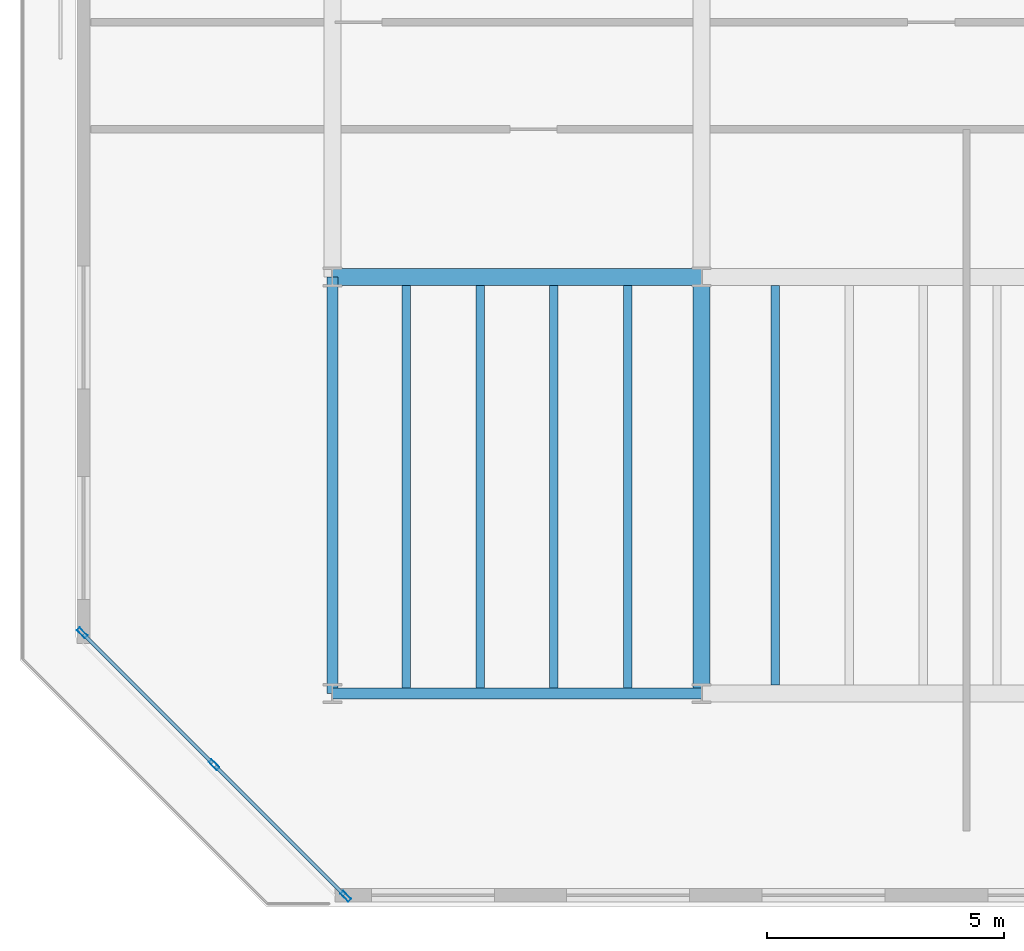
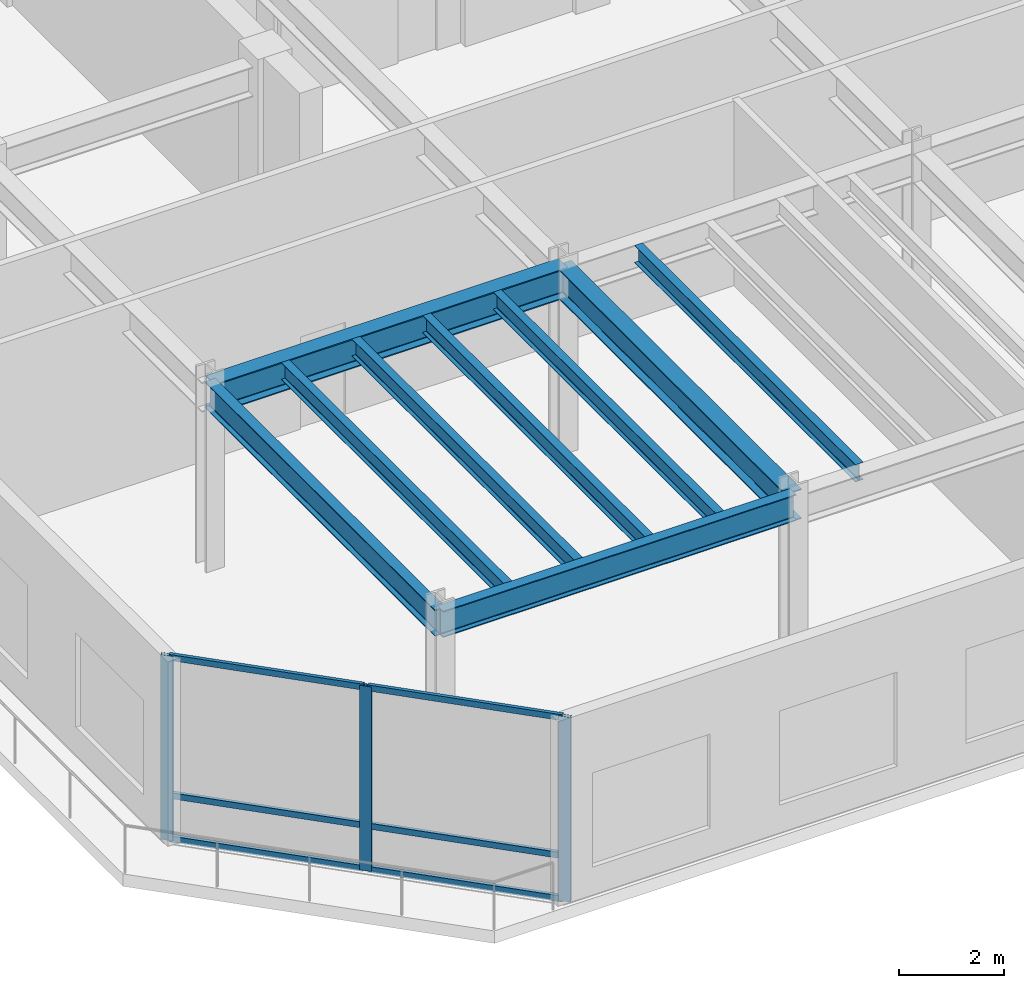
# One storey, part 2 of 12: 9 beams, 9 members, 1 element without a shape of its own.
"""IFC4 building model written with IfcOpenShell, lengths in metres."""

from ifc_helpers import new_model, si_unit, direction, frame, origin, origin_2d, place, context, subcontext, project, spatial, hollow_rectangle, i_section, extrude, material, layer, layer_set, material_profile, profile_set, type_object, element, aggregate, save


model = new_model("IFC4")

# Units and contexts
model_context = context("Model", 3, precision=1e-05, world=origin(), true_north=direction((0.0, 1.0)))
body_context = subcontext(model_context, "Body", "Model", "MODEL_VIEW")
ifc_project = project(units=[si_unit("LENGTHUNIT", "METRE"), si_unit("AREAUNIT", "SQUARE_METRE"), si_unit("VOLUMEUNIT", "CUBIC_METRE"), si_unit("PLANEANGLEUNIT", "RADIAN"), si_unit("MASSUNIT", "GRAM", prefix="KILO")], contexts=[model_context])

# Site, building, storey
site_placement = place(None, origin())
site = spatial("IfcSite", under=ifc_project, at=site_placement, CompositionType="ELEMENT")
building_placement = place(site_placement, origin())
building = spatial("IfcBuilding", under=site, at=building_placement, Name="Kestravale Grand Hotel", CompositionType="ELEMENT")
storey_placement = place(building_placement, frame((0.0, 0.0, 302.0)))
storey = spatial("IfcBuildingStorey", under=building, at=storey_placement, Name="L75", CompositionType="ELEMENT", Elevation=302.0)

# Beams
ifc_material_1 = material(Name="Steel ASTM A992 Grade 50", Category="steel")
ifc_material_profile_1 = material_profile(ifc_material_1, i_section(OverallWidth=0.177978515625, OverallDepth=0.404052734375, WebThickness=0.007568359375, FlangeThickness=0.010986328125, FilletRadius=0.01416015625, at=origin_2d()))
ifc_profile_set_1 = profile_set([ifc_material_profile_1], Name="Steel ASTM A992 Grade 50")
beam_type_1 = type_object("IfcBeamType", Name="B-FLR-JST16", PredefinedType="JOIST", material=ifc_profile_set_1)
for number, where, z_axis, x_axis, name in (
    (1, (17.159912109375, 11.314453125, 4.10791015625), (0.0, 1.0, 0.0), (-1.0, 0.0, 0.0), "L75 floor joist 3-4/C-D #1"),
    (2, (18.719970703125, 11.314453125, 4.10791015625), (0.0, 1.0, 0.0), (-1.0, 0.0, 0.0), "L75 floor joist 3-4/C-D #2"),
    (3, (20.280029296875, 11.314453125, 4.10791015625), (0.0, 1.0, 0.0), (-1.0, 0.0, 0.0), "L75 floor joist 3-4/C-D #3"),
    (4, (21.840087890625, 11.314453125, 4.10791015625), (0.0, 1.0, 0.0), (-1.0, 0.0, 0.0), "L75 floor joist 3-4/C-D #4"),
):
    element("IfcBeam", number, at=place(storey_placement, frame(where, z_axis=z_axis, x_axis=x_axis)), inside=storey, type_object=beam_type_1, Name=name, PredefinedType="JOIST", context=body_context, shape_type="SweptSolid", body=[
        extrude(i_section(OverallWidth=0.177978515625, OverallDepth=0.404052734375, WebThickness=0.007568359375, FlangeThickness=0.010986328125, FilletRadius=0.01416015625, at=origin_2d()), origin(), (0.0, 0.0, 1.0), 8.507568359375),
    ])
beam_1_placement = place(storey_placement, frame((24.9599609375, 11.3779296875, 4.10791015625), z_axis=(0.0, 1.0, 0.0), x_axis=(-1.0, 0.0, 0.0)))
element("IfcBeam", 5, at=beam_1_placement, inside=storey, type_object=beam_type_1, Name="L75 floor joist 4-5/C-D #1", PredefinedType="JOIST", context=body_context, shape_type="SweptSolid", body=[
    extrude(i_section(OverallWidth=0.177978515625, OverallDepth=0.404052734375, WebThickness=0.007568359375, FlangeThickness=0.010986328125, FilletRadius=0.01416015625, at=origin_2d()), origin(), (0.0, 0.0, 1.0), 8.444091796875),
])
ifc_material_2 = material(Name="Steel ASTM A992 Grade 50", Category="steel")
ifc_material_profile_2 = material_profile(ifc_material_2, i_section(OverallWidth=0.22900390625, OverallDepth=0.612060546875, WebThickness=0.011962890625, FlangeThickness=0.01953125, FilletRadius=0.019287109375, at=origin_2d()))
ifc_profile_set_2 = profile_set([ifc_material_profile_2], Name="Steel ASTM A992 Grade 50")
beam_type_2 = type_object("IfcBeamType", Name="B-FLR-W24B", PredefinedType="SPANDREL", material=ifc_profile_set_2)
beam_2_placement = place(storey_placement, frame((15.60009765625, 11.199951171875, 4.00390625), z_axis=(1.0, 0.0, 0.0), x_axis=(0.0, 1.0, 0.0)))
element("IfcBeam", 6, at=beam_2_placement, inside=storey, type_object=beam_type_2, Name="L75 spandrel C:3-4", PredefinedType="SPANDREL", context=body_context, shape_type="SweptSolid", body=[
    extrude(i_section(OverallWidth=0.22900390625, OverallDepth=0.612060546875, WebThickness=0.011962890625, FlangeThickness=0.01953125, FilletRadius=0.019287109375, at=origin_2d()), origin(), (0.0, 0.0, 1.0), 7.7998046875),
])
beam_3_placement = place(storey_placement, frame((15.60009765625, 11.199951171875, 4.00390625), z_axis=(0.0, 1.0, 0.0), x_axis=(-1.0, 0.0, 0.0)))
element("IfcBeam", 7, at=beam_3_placement, inside=storey, type_object=beam_type_2, Name="L75 spandrel 3:C-D", PredefinedType="SPANDREL", context=body_context, shape_type="SweptSolid", body=[
    extrude(i_section(OverallWidth=0.22900390625, OverallDepth=0.612060546875, WebThickness=0.011962890625, FlangeThickness=0.01953125, FilletRadius=0.019287109375, at=origin_2d()), origin(), (0.0, 0.0, 1.0), 8.800048828125),
])
ifc_material_3 = material(Name="Steel ASTM A992 Grade 50", Category="steel")
ifc_material_profile_3 = material_profile(ifc_material_3, i_section(OverallWidth=0.35595703125, OverallDepth=0.696044921875, WebThickness=0.015380859375, FlangeThickness=0.02490234375, FilletRadius=0.021240234375, at=origin_2d()))
ifc_profile_set_3 = profile_set([ifc_material_profile_3], Name="Steel ASTM A992 Grade 50")
beam_type_3 = type_object("IfcBeamType", Name="B-GRD-W27", PredefinedType="BEAM", material=ifc_profile_set_3)
beam_4_placement = place(storey_placement, frame((15.60009765625, 20.0, 3.9619140625), z_axis=(1.0, 0.0, 0.0), x_axis=(0.0, 1.0, 0.0)))
element("IfcBeam", 8, at=beam_4_placement, inside=storey, type_object=beam_type_3, Name="L75 girder D:3-4", PredefinedType="BEAM", context=body_context, shape_type="SweptSolid", body=[
    extrude(i_section(OverallWidth=0.35595703125, OverallDepth=0.696044921875, WebThickness=0.015380859375, FlangeThickness=0.02490234375, FilletRadius=0.021240234375, at=origin_2d()), origin(), (0.0, 0.0, 1.0), 7.7998046875),
])
beam_5_placement = place(storey_placement, frame((23.39990234375, 11.199951171875, 3.9619140625), z_axis=(0.0, 1.0, 0.0), x_axis=(-1.0, 0.0, 0.0)))
element("IfcBeam", 9, at=beam_5_placement, inside=storey, type_object=beam_type_3, Name="L75 girder 4:C-D", PredefinedType="BEAM", context=body_context, shape_type="SweptSolid", body=[
    extrude(i_section(OverallWidth=0.35595703125, OverallDepth=0.696044921875, WebThickness=0.015380859375, FlangeThickness=0.02490234375, FilletRadius=0.021240234375, at=origin_2d()), origin(), (0.0, 0.0, 1.0), 8.800048828125),
])

# Curtain wall, members
ifc_material_4 = material(Name="Thermally broken champagne-bronze aluminium and low-E glazing", Category="aluminium")
ifc_layer = layer(ifc_material_4, 0.239990234375)
ifc_layer_set = layer_set([ifc_layer], Name="CW-OBS")
curtain_wall_type = type_object("IfcCurtainWallType", Name="CW-OBS", PredefinedType="NOTDEFINED", material=ifc_layer_set)
curtain_wall_placement = place(storey_placement, origin())
curtain_wall = element("IfcCurtainWall", 10, at=curtain_wall_placement, inside=storey, type_object=curtain_wall_type, Name="L75 unitised curtain wall 20", PredefinedType="NOTDEFINED")
ifc_material_5 = material(Name="Aluminium 6063-T6 anodised", Category="aluminium")
ifc_material_profile_4 = material_profile(ifc_material_5, hollow_rectangle(XDim=0.0849609375, YDim=0.239990234375, WallThickness=0.00439453125, at=origin_2d()))
ifc_profile_set_4 = profile_set([ifc_material_profile_4], Name="Aluminium 6063-T6 anodised")
member_type_1 = type_object("IfcMemberType", Name="CW-MUL-240", PredefinedType="MULLION", material=ifc_profile_set_4)
member_1_placement = place(storey_placement, frame((10.31494140625, 12.483154296875, 0.0), z_axis=(0.0, 0.0, 1.0), x_axis=(0.707106781187, 0.707106781187, 0.0)))
member_1 = element("IfcMember", 11, at=member_1_placement, type_object=member_type_1, Name="CW-OBS mullion 1", PredefinedType="MULLION", context=body_context, shape_type="SweptSolid", body=[
    extrude(hollow_rectangle(XDim=0.0849609375, YDim=0.239990234375, WallThickness=0.00439453125, at=origin_2d()), origin(), (0.0, 0.0, 1.0), 4.31005859375),
])
member_2_placement = place(storey_placement, frame((13.09912109375, 9.698974609375, 0.0), z_axis=(0.0, 0.0, 1.0), x_axis=(0.707106781187, 0.707106781187, 0.0)))
member_2 = element("IfcMember", 12, at=member_2_placement, type_object=member_type_1, Name="CW-OBS mullion 2", PredefinedType="MULLION", context=body_context, shape_type="SweptSolid", body=[
    extrude(hollow_rectangle(XDim=0.0849609375, YDim=0.239990234375, WallThickness=0.00439453125, at=origin_2d()), origin(), (0.0, 0.0, 1.0), 4.31005859375),
])
member_3_placement = place(storey_placement, frame((15.883056640625, 6.914794921875, 0.0), z_axis=(0.0, 0.0, 1.0), x_axis=(0.707106781187, 0.707106781187, 0.0)))
member_3 = element("IfcMember", 13, at=member_3_placement, type_object=member_type_1, Name="CW-OBS mullion 3", PredefinedType="MULLION", context=body_context, shape_type="SweptSolid", body=[
    extrude(hollow_rectangle(XDim=0.0849609375, YDim=0.239990234375, WallThickness=0.00439453125, at=origin_2d()), origin(), (0.0, 0.0, 1.0), 4.31005859375),
])
ifc_material_6 = material(Name="Aluminium 6063-T6 anodised", Category="aluminium")
ifc_material_profile_5 = material_profile(ifc_material_6, hollow_rectangle(XDim=0.074951171875, YDim=0.139892578125, WallThickness=0.00341796875, at=origin_2d()))
ifc_profile_set_5 = profile_set([ifc_material_profile_5], Name="Aluminium 6063-T6 anodised")
member_type_2 = type_object("IfcMemberType", Name="CW-TRN-140", PredefinedType="USERDEFINED", material=ifc_profile_set_5)
member_4_placement = place(storey_placement, frame((10.344970703125, 12.453125, 0.03759765625), z_axis=(0.707075092967, -0.707138467986, 0.0), x_axis=(0.707138467986, 0.707075092967, 0.0)))
member_4 = element("IfcMember", 14, at=member_4_placement, type_object=member_type_2, Name="CW-OBS transom 1.1", ObjectType="TRANSOM", PredefinedType="USERDEFINED", context=body_context, shape_type="SweptSolid", body=[
    extrude(hollow_rectangle(XDim=0.074951171875, YDim=0.139892578125, WallThickness=0.00341796875, at=origin_2d()), origin(), (0.0, 0.0, 1.0), 3.852294921875),
])
member_5_placement = place(storey_placement, frame((10.344970703125, 12.453125, 1.050048828125), z_axis=(0.707075092967, -0.707138467986, 0.0), x_axis=(0.707138467986, 0.707075092967, 0.0)))
member_5 = element("IfcMember", 15, at=member_5_placement, type_object=member_type_2, Name="CW-OBS transom 1.2", ObjectType="TRANSOM", PredefinedType="USERDEFINED", context=body_context, shape_type="SweptSolid", body=[
    extrude(hollow_rectangle(XDim=0.074951171875, YDim=0.139892578125, WallThickness=0.00341796875, at=origin_2d()), origin(), (0.0, 0.0, 1.0), 3.852294921875),
])
member_6_placement = place(storey_placement, frame((10.344970703125, 12.453125, 4.2724609375), z_axis=(0.707075092967, -0.707138467986, 0.0), x_axis=(0.707138467986, 0.707075092967, 0.0)))
member_6 = element("IfcMember", 16, at=member_6_placement, type_object=member_type_2, Name="CW-OBS transom 1.3", ObjectType="TRANSOM", PredefinedType="USERDEFINED", context=body_context, shape_type="SweptSolid", body=[
    extrude(hollow_rectangle(XDim=0.074951171875, YDim=0.139892578125, WallThickness=0.00341796875, at=origin_2d()), origin(), (0.0, 0.0, 1.0), 3.852294921875),
])
member_7_placement = place(storey_placement, frame((13.129150390625, 9.6689453125, 0.03759765625), z_axis=(0.707075092967, -0.707138467986, 0.0), x_axis=(0.707138467986, 0.707075092967, 0.0)))
member_7 = element("IfcMember", 17, at=member_7_placement, type_object=member_type_2, Name="CW-OBS transom 2.1", ObjectType="TRANSOM", PredefinedType="USERDEFINED", context=body_context, shape_type="SweptSolid", body=[
    extrude(hollow_rectangle(XDim=0.074951171875, YDim=0.139892578125, WallThickness=0.00341796875, at=origin_2d()), origin(), (0.0, 0.0, 1.0), 3.852294921875),
])
member_8_placement = place(storey_placement, frame((13.129150390625, 9.6689453125, 1.050048828125), z_axis=(0.707075092967, -0.707138467986, 0.0), x_axis=(0.707138467986, 0.707075092967, 0.0)))
member_8 = element("IfcMember", 18, at=member_8_placement, type_object=member_type_2, Name="CW-OBS transom 2.2", ObjectType="TRANSOM", PredefinedType="USERDEFINED", context=body_context, shape_type="SweptSolid", body=[
    extrude(hollow_rectangle(XDim=0.074951171875, YDim=0.139892578125, WallThickness=0.00341796875, at=origin_2d()), origin(), (0.0, 0.0, 1.0), 3.852294921875),
])
member_9_placement = place(storey_placement, frame((13.129150390625, 9.6689453125, 4.2724609375), z_axis=(0.707075092967, -0.707138467986, 0.0), x_axis=(0.707138467986, 0.707075092967, 0.0)))
member_9 = element("IfcMember", 19, at=member_9_placement, type_object=member_type_2, Name="CW-OBS transom 2.3", ObjectType="TRANSOM", PredefinedType="USERDEFINED", context=body_context, shape_type="SweptSolid", body=[
    extrude(hollow_rectangle(XDim=0.074951171875, YDim=0.139892578125, WallThickness=0.00341796875, at=origin_2d()), origin(), (0.0, 0.0, 1.0), 3.852294921875),
])
aggregate(curtain_wall, [member_1, member_2, member_3, member_4, member_5, member_6, member_7, member_8, member_9])

save(model, "model.ifc")
